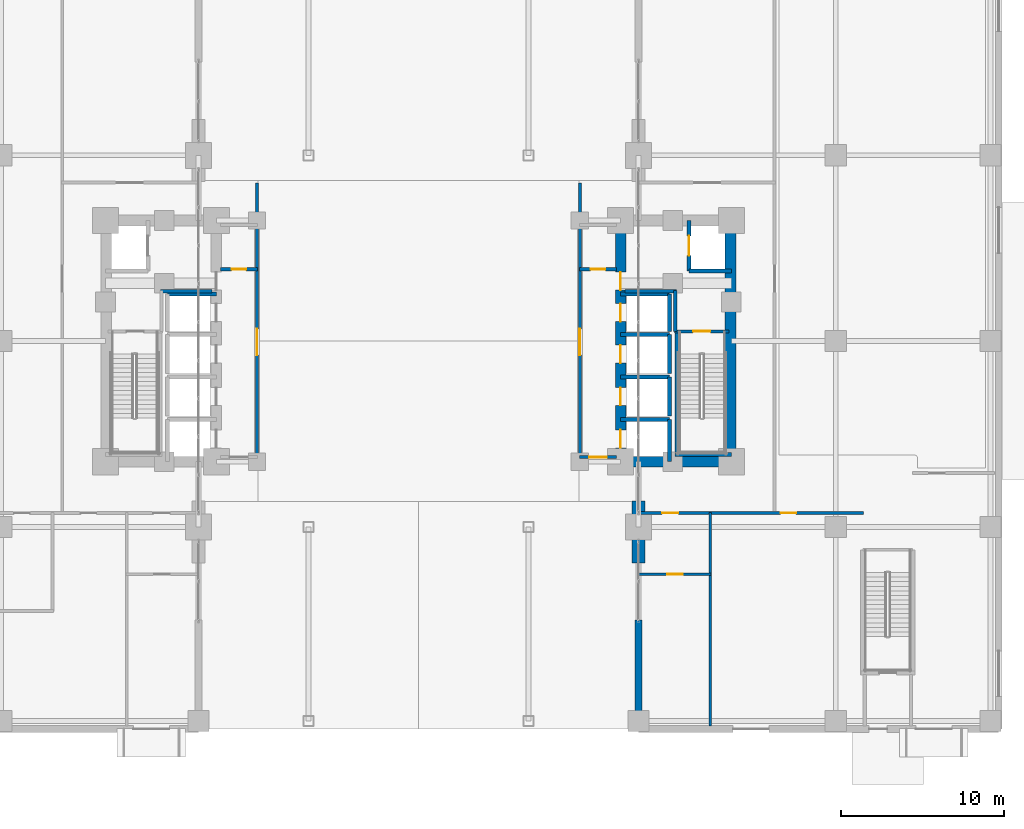
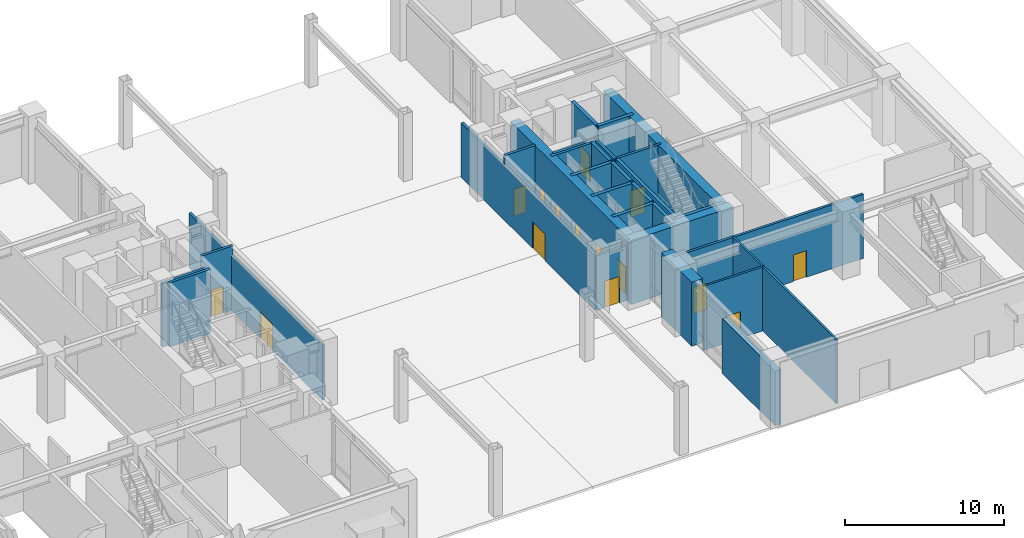
# One storey, part 18 of 23: 30 walls, 15 doors, 15 openings.
"""IFC4 building model written with IfcOpenShell, lengths in metres."""

from ifc_helpers import new_model, si_unit, direction, frame, frame_2d, origin, place, context, subcontext, project, spatial, rectangle, extrude, material, layer, layer_set, type_object, element, fill, save


model = new_model("IFC4")

# Units and contexts
model_context = context("Model", 3, precision=1e-05, world=origin(), true_north=direction((0.0, 1.0)))
body_context = subcontext(model_context, "Body", "Model", "MODEL_VIEW")
ifc_project = project(units=[si_unit("LENGTHUNIT", "METRE"), si_unit("AREAUNIT", "SQUARE_METRE"), si_unit("VOLUMEUNIT", "CUBIC_METRE"), si_unit("PLANEANGLEUNIT", "RADIAN"), si_unit("MASSUNIT", "GRAM", prefix="KILO")], contexts=[model_context])

# Site, building, storey
site_placement = place(None, origin())
site = spatial("IfcSite", under=ifc_project, at=site_placement, CompositionType="ELEMENT")
building_placement = place(site_placement, origin())
building = spatial("IfcBuilding", under=site, at=building_placement, Name="Voryun Gate Residences", CompositionType="ELEMENT")
storey_placement = place(building_placement, origin())
storey = spatial("IfcBuildingStorey", under=building, at=storey_placement, Name="L00", CompositionType="ELEMENT", Elevation=0.0)

# Wall
ifc_material_1 = material(Name="Concrete C60/75", Category="concrete")
ifc_layer_1 = layer(ifc_material_1, 0.64990234375, Name="CW_CORE_650")
ifc_layer_set_1 = layer_set([ifc_layer_1], Name="Concrete C60/75")
wall_type_1 = type_object("IfcWallType", Name="CW_CORE_650", PredefinedType="SHEAR", material=ifc_layer_set_1)
wall_1_placement = place(storey_placement, frame((12.074951171875, -7.39990234375, 0.0), z_axis=(0.0, 0.0, 1.0), x_axis=(1.0, 0.0, 0.0)))
element("IfcWall", 1, at=wall_1_placement, inside=storey, type_object=wall_type_1, Name="L00 Core shear wall CW-L00-ES", PredefinedType="SHEAR", context=body_context, shape_type="SweptSolid", body=[
    extrude(rectangle(XDim=7.449951171875, YDim=0.64990234375, at=frame_2d((3.72509765625, 0.0))), origin(), (0.0, 0.0, 1.0), 4.919921875),
])

# Wall, openings, doors
wall_2_placement = place(storey_placement, frame((12.39990234375, -7.39990234375, 0.0), z_axis=(0.0, 0.0, 1.0), x_axis=(0.0, 1.0, 0.0)))
wall_2 = element("IfcWall", 2, at=wall_2_placement, inside=storey, type_object=wall_type_1, Name="L00 Core shear wall CW-L00-EW", PredefinedType="SHEAR", context=body_context, shape_type="SweptSolid", body=[
    extrude(rectangle(XDim=14.7998046875, YDim=0.64990234375, at=frame_2d((7.39990234375, 0.0))), origin(), (0.0, 0.0, 1.0), 4.919921875),
])
opening_1_placement = place(wall_2_placement, frame((0.85009765625, 0.0, 0.0)))
opening_1 = element("IfcOpeningElement", 3, at=opening_1_placement, cuts=wall_2, Name="Opening LD2", PredefinedType="OPENING", context=body_context, shape_type="SweptSolid", body=[
    extrude(rectangle(XDim=1.10009765625, YDim=2.050048828125, at=frame_2d((0.550048828125, 1.02490234375))), frame((0.0, 0.3349609375, 0.0), z_axis=(0.0, -1.0, 0.0), x_axis=(1.0, 0.0, 0.0)), (0.0, 0.0, 1.0), 0.669921875),
])
opening_2_placement = place(wall_2_placement, frame((3.449951171875, 0.0, 0.0)))
opening_2 = element("IfcOpeningElement", 4, at=opening_2_placement, cuts=wall_2, Name="Opening LD2", PredefinedType="OPENING", context=body_context, shape_type="SweptSolid", body=[
    extrude(rectangle(XDim=1.10009765625, YDim=2.050048828125, at=frame_2d((0.550048828125, 1.02490234375))), frame((0.0, 0.3349609375, 0.0), z_axis=(0.0, -1.0, 0.0), x_axis=(1.0, 0.0, 0.0)), (0.0, 0.0, 1.0), 0.669921875),
])
opening_3_placement = place(wall_2_placement, frame((6.050048828125, 0.0, 0.0)))
opening_3 = element("IfcOpeningElement", 5, at=opening_3_placement, cuts=wall_2, Name="Opening LD2", PredefinedType="OPENING", context=body_context, shape_type="SweptSolid", body=[
    extrude(rectangle(XDim=1.10009765625, YDim=2.050048828125, at=frame_2d((0.550048828125, 1.02490234375))), frame((0.0, 0.3349609375, 0.0), z_axis=(0.0, -1.0, 0.0), x_axis=(1.0, 0.0, 0.0)), (0.0, 0.0, 1.0), 0.669921875),
])
opening_4_placement = place(wall_2_placement, frame((8.60009765625, 0.0, 0.0)))
opening_4 = element("IfcOpeningElement", 6, at=opening_4_placement, cuts=wall_2, Name="Opening LD2", PredefinedType="OPENING", context=body_context, shape_type="SweptSolid", body=[
    extrude(rectangle(XDim=1.10009765625, YDim=2.050048828125, at=frame_2d((0.550048828125, 1.02490234375))), frame((0.0, 0.3349609375, 0.0), z_axis=(0.0, -1.0, 0.0), x_axis=(1.0, 0.0, 0.0)), (0.0, 0.0, 1.0), 0.669921875),
])
opening_5_placement = place(wall_2_placement, frame((10.530029296875, 0.0, 0.0)))
opening_5 = element("IfcOpeningElement", 7, at=opening_5_placement, cuts=wall_2, Name="Opening D-FD60-2", PredefinedType="OPENING", context=body_context, shape_type="SweptSolid", body=[
    extrude(rectangle(XDim=1.10009765625, YDim=2.050048828125, at=frame_2d((0.550048828125, 1.02490234375))), frame((0.0, 0.3349609375, 0.0), z_axis=(0.0, -1.0, 0.0), x_axis=(1.0, 0.0, 0.0)), (0.0, 0.0, 1.0), 0.669921875),
])
ifc_material_2 = material(Name="Painted steel fire door", Category="steel")
door_type_1 = type_object("IfcDoorType", Name="DR_FD60_FFLOB_1100", OperationType="NOTDEFINED", PredefinedType="DOOR", material=ifc_material_2)
door_1_placement = place(opening_5_placement, origin())
door_1 = element("IfcDoor", 8, at=door_1_placement, inside=storey, type_object=door_type_1, Name="Door DR-L00-CLOB-E", OperationType="SINGLE_SWING_RIGHT", OverallHeight=2.050048828125, OverallWidth=1.10009765625, PredefinedType="DOOR", context=body_context, shape_type="SweptSolid", body=[
    extrude(rectangle(XDim=1.10009765625, YDim=2.050048828125, at=frame_2d((0.550048828125, 1.02490234375))), frame((0.0, 0.02490234375, 0.0), z_axis=(0.0, -1.0, 0.0), x_axis=(1.0, 0.0, 0.0)), (0.0, 0.0, 1.0), 0.050048828125),
])
fill(opening_5, door_1)
ifc_material_3 = material(Name="Anodised aluminium", Category="aluminium")
door_type_2 = type_object("IfcDoorType", Name="DR_LD_PASS_1100", OperationType="NOTDEFINED", PredefinedType="DOOR", material=ifc_material_3)
door_2_placement = place(opening_1_placement, origin())
door_2 = element("IfcDoor", 9, at=door_2_placement, inside=storey, type_object=door_type_2, Name="Lift EL-P3 sliding landing door L00", OperationType="SLIDING_TO_LEFT", OverallHeight=2.050048828125, OverallWidth=1.10009765625, PredefinedType="DOOR", context=body_context, shape_type="SweptSolid", body=[
    extrude(rectangle(XDim=1.10009765625, YDim=2.050048828125, at=frame_2d((0.550048828125, 1.02490234375))), frame((0.0, 0.02490234375, 0.0), z_axis=(0.0, -1.0, 0.0), x_axis=(1.0, 0.0, 0.0)), (0.0, 0.0, 1.0), 0.050048828125),
])
fill(opening_1, door_2)
door_3_placement = place(opening_2_placement, origin())
door_3 = element("IfcDoor", 10, at=door_3_placement, inside=storey, type_object=door_type_2, Name="Lift EL-P5 sliding landing door L00", OperationType="SLIDING_TO_LEFT", OverallHeight=2.050048828125, OverallWidth=1.10009765625, PredefinedType="DOOR", context=body_context, shape_type="SweptSolid", body=[
    extrude(rectangle(XDim=1.10009765625, YDim=2.050048828125, at=frame_2d((0.550048828125, 1.02490234375))), frame((0.0, 0.02490234375, 0.0), z_axis=(0.0, -1.0, 0.0), x_axis=(1.0, 0.0, 0.0)), (0.0, 0.0, 1.0), 0.050048828125),
])
fill(opening_2, door_3)
door_4_placement = place(opening_3_placement, origin())
door_4 = element("IfcDoor", 11, at=door_4_placement, inside=storey, type_object=door_type_2, Name="Lift EL-P6 sliding landing door L00", OperationType="SLIDING_TO_LEFT", OverallHeight=2.050048828125, OverallWidth=1.10009765625, PredefinedType="DOOR", context=body_context, shape_type="SweptSolid", body=[
    extrude(rectangle(XDim=1.10009765625, YDim=2.050048828125, at=frame_2d((0.550048828125, 1.02490234375))), frame((0.0, 0.02490234375, 0.0), z_axis=(0.0, -1.0, 0.0), x_axis=(1.0, 0.0, 0.0)), (0.0, 0.0, 1.0), 0.050048828125),
])
fill(opening_3, door_4)
door_5_placement = place(opening_4_placement, origin())
door_5 = element("IfcDoor", 12, at=door_5_placement, inside=storey, type_object=door_type_2, Name="Lift EL-P8 sliding landing door L00", OperationType="SLIDING_TO_LEFT", OverallHeight=2.050048828125, OverallWidth=1.10009765625, PredefinedType="DOOR", context=body_context, shape_type="SweptSolid", body=[
    extrude(rectangle(XDim=1.10009765625, YDim=2.050048828125, at=frame_2d((0.550048828125, 1.02490234375))), frame((0.0, 0.02490234375, 0.0), z_axis=(0.0, -1.0, 0.0), x_axis=(1.0, 0.0, 0.0)), (0.0, 0.0, 1.0), 0.050048828125),
])
fill(opening_4, door_5)

# Walls
wall_3_placement = place(storey_placement, frame((19.14501953125, -7.39990234375, 0.0), z_axis=(0.0, 0.0, 1.0), x_axis=(0.0, 1.0, 0.0)))
element("IfcWall", 13, at=wall_3_placement, inside=storey, type_object=wall_type_1, Name="L00 Core shear wall CW-L00-EE", PredefinedType="SHEAR", context=body_context, shape_type="SweptSolid", body=[
    extrude(rectangle(XDim=14.7998046875, YDim=0.64990234375, at=frame_2d((7.39990234375, 0.0))), origin(), (0.0, 0.0, 1.0), 4.919921875),
])
ifc_material_4 = material(Name="Concrete C60/75", Category="concrete")
ifc_layer_2 = layer(ifc_material_4, 0.800048828125, Name="W_ARCH_PIER_800")
ifc_layer_set_2 = layer_set([ifc_layer_2], Name="Concrete C60/75")
wall_type_2 = type_object("IfcWallType", Name="W_ARCH_PIER_800", PredefinedType="SOLIDWALL", material=ifc_layer_set_2)
wall_4_placement = place(storey_placement, frame((13.5, -13.60009765625, 0.0), z_axis=(0.0, 0.0, 1.0), x_axis=(0.0, 1.0, 0.0)))
element("IfcWall", 14, at=wall_4_placement, inside=storey, type_object=wall_type_2, Name="L00 Parabolic arch pier wall ES", PredefinedType="SOLIDWALL", context=body_context, shape_type="SweptSolid", body=[
    extrude(rectangle(XDim=3.800048828125, YDim=0.800048828125, at=frame_2d((1.89990234375, 0.0))), origin(), (0.0, 0.0, 1.0), 4.919921875),
])

# Wall, opening, door
ifc_material_5 = material(Name="Gypsum acoustic fireboard")
ifc_layer_3 = layer(ifc_material_5, 0.179931640625, Name="W_CORR_RATED_180")
ifc_layer_set_3 = layer_set([ifc_layer_3], Name="Gypsum acoustic fireboard")
wall_type_3 = type_object("IfcWallType", Name="W_CORR_RATED_180", PredefinedType="PARTITIONING", material=ifc_layer_set_3)
wall_5_placement = place(storey_placement, frame((15.699951171875, 0.60009765625, 0.0), z_axis=(0.0, 0.0, 1.0), x_axis=(1.0, 0.0, 0.0)))
wall_5 = element("IfcWall", 15, at=wall_5_placement, inside=storey, type_object=wall_type_3, Name="Partition wall WP-L00-STV-E", PredefinedType="PARTITIONING", context=body_context, shape_type="SweptSolid", body=[
    extrude(rectangle(XDim=3.360107421875, YDim=0.179931640625, at=frame_2d((1.68017578125, 0.0))), origin(), (0.0, 0.0, 1.0), 4.919921875),
])
opening_6_placement = place(wall_5_placement, frame((1.155029296875, 0.0, 0.0)))
opening_6 = element("IfcOpeningElement", 16, at=opening_6_placement, cuts=wall_5, Name="Opening D-FD60-1", PredefinedType="OPENING", context=body_context, shape_type="SweptSolid", body=[
    extrude(rectangle(XDim=1.050048828125, YDim=2.050048828125, at=frame_2d((0.52490234375, 1.02490234375))), frame((0.0, 0.099853515625, 0.0), z_axis=(0.0, -1.0, 0.0), x_axis=(1.0, 0.0, 0.0)), (0.0, 0.0, 1.0), 0.199951171875),
])
ifc_material_6 = material(Name="Painted steel fire door", Category="steel")
door_type_3 = type_object("IfcDoorType", Name="DR_FD60_STAIR_1050", OperationType="NOTDEFINED", PredefinedType="DOOR", material=ifc_material_6)
door_6_placement = place(opening_6_placement, origin())
door_6 = element("IfcDoor", 17, at=door_6_placement, inside=storey, type_object=door_type_3, Name="Door DR-L00-ST-E", OperationType="SINGLE_SWING_RIGHT", OverallHeight=2.050048828125, OverallWidth=1.050048828125, PredefinedType="DOOR", context=body_context, shape_type="SweptSolid", body=[
    extrude(rectangle(XDim=1.050048828125, YDim=2.050048828125, at=frame_2d((0.52490234375, 1.02490234375))), frame((0.0, 0.02490234375, 0.0), z_axis=(0.0, -1.0, 0.0), x_axis=(1.0, 0.0, 0.0)), (0.0, 0.0, 1.0), 0.050048828125),
])
fill(opening_6, door_6)

wall_6_placement = place(storey_placement, frame((9.8798828125, -7.1201171875, 0.0), z_axis=(0.0, 0.0, 1.0), x_axis=(1.0, 0.0, 0.0)))
wall_6 = element("IfcWall", 18, at=wall_6_placement, inside=storey, type_object=wall_type_3, Name="Partition wall WP-L00-PLBS-E", PredefinedType="PARTITIONING", context=body_context, shape_type="SweptSolid", body=[
    extrude(rectangle(XDim=2.27001953125, YDim=0.179931640625, at=frame_2d((1.135009765625, 0.0))), origin(), (0.0, 0.0, 1.0), 4.2099609375),
])
opening_7_placement = place(wall_6_placement, frame((0.5849609375, 0.0, 0.0)))
opening_7 = element("IfcOpeningElement", 19, at=opening_7_placement, cuts=wall_6, Name="Opening D-FD60-2", PredefinedType="OPENING", context=body_context, shape_type="SweptSolid", body=[
    extrude(rectangle(XDim=1.10009765625, YDim=2.050048828125, at=frame_2d((0.550048828125, 1.02490234375))), frame((0.0, 0.099853515625, 0.0), z_axis=(0.0, -1.0, 0.0), x_axis=(1.0, 0.0, 0.0)), (0.0, 0.0, 1.0), 0.199951171875),
])
door_7_placement = place(opening_7_placement, origin())
door_7 = element("IfcDoor", 20, at=door_7_placement, inside=storey, type_object=door_type_1, Name="Door DR-L00-PLBNE", OperationType="SINGLE_SWING_RIGHT", OverallHeight=2.050048828125, OverallWidth=1.10009765625, PredefinedType="DOOR", context=body_context, shape_type="SweptSolid", body=[
    extrude(rectangle(XDim=1.10009765625, YDim=2.050048828125, at=frame_2d((0.550048828125, 1.02490234375))), frame((0.0, 0.02490234375, 0.0), z_axis=(0.0, -1.0, 0.0), x_axis=(1.0, 0.0, 0.0)), (0.0, 0.0, 1.0), 0.050048828125),
])
fill(opening_7, door_7)

wall_7_placement = place(storey_placement, frame((-9.89990234375, -7.1201171875, 0.0), z_axis=(0.0, 0.0, 1.0), x_axis=(0.0, 1.0, 0.0)))
wall_7 = element("IfcWall", 21, at=wall_7_placement, inside=storey, type_object=wall_type_3, Name="Partition wall WP-L00-PLBW", PredefinedType="PARTITIONING", context=body_context, shape_type="SweptSolid", body=[
    extrude(rectangle(XDim=16.820068359375, YDim=0.179931640625, at=frame_2d((8.41015625, 0.0))), origin(), (0.0, 0.0, 1.0), 4.2099609375),
])
opening_8_placement = place(wall_7_placement, frame((6.264404296875, 0.0, 0.0)))
opening_8 = element("IfcOpeningElement", 22, at=opening_8_placement, cuts=wall_7, Name="Opening D-FD30-1", PredefinedType="OPENING", context=body_context, shape_type="SweptSolid", body=[
    extrude(rectangle(XDim=1.60009765625, YDim=2.050048828125, at=frame_2d((0.800048828125, 1.02490234375))), frame((0.0, 0.099853515625, 0.0), z_axis=(0.0, -1.0, 0.0), x_axis=(1.0, 0.0, 0.0)), (0.0, 0.0, 1.0), 0.199951171875),
])
ifc_material_7 = material(Name="Glazed aluminium fire door", Category="aluminium")
door_type_4 = type_object("IfcDoorType", Name="DR_CORR_SMOKE_1600", OperationType="NOTDEFINED", PredefinedType="DOOR", material=ifc_material_7)
door_8_placement = place(opening_8_placement, origin())
door_8 = element("IfcDoor", 23, at=door_8_placement, inside=storey, type_object=door_type_4, Name="Door DR-L00-PLBW", OperationType="DOUBLE_DOOR_SINGLE_SWING", OverallHeight=2.050048828125, OverallWidth=1.60009765625, PredefinedType="DOOR", context=body_context, shape_type="SweptSolid", body=[
    extrude(rectangle(XDim=1.60009765625, YDim=2.050048828125, at=frame_2d((0.800048828125, 1.02490234375))), frame((0.0, 0.02490234375, 0.0), z_axis=(0.0, -1.0, 0.0), x_axis=(1.0, 0.0, 0.0)), (0.0, 0.0, 1.0), 0.050048828125),
])
fill(opening_8, door_8)

wall_8_placement = place(storey_placement, frame((9.89990234375, -7.1201171875, 0.0), z_axis=(0.0, 0.0, 1.0), x_axis=(0.0, 1.0, 0.0)))
wall_8 = element("IfcWall", 24, at=wall_8_placement, inside=storey, type_object=wall_type_3, Name="Partition wall WP-L00-PLBE", PredefinedType="PARTITIONING", context=body_context, shape_type="SweptSolid", body=[
    extrude(rectangle(XDim=16.820068359375, YDim=0.179931640625, at=frame_2d((8.41015625, 0.0))), origin(), (0.0, 0.0, 1.0), 4.2099609375),
])
opening_9_placement = place(wall_8_placement, frame((6.264404296875, 0.0, 0.0)))
opening_9 = element("IfcOpeningElement", 25, at=opening_9_placement, cuts=wall_8, Name="Opening D-FD30-1", PredefinedType="OPENING", context=body_context, shape_type="SweptSolid", body=[
    extrude(rectangle(XDim=1.60009765625, YDim=2.050048828125, at=frame_2d((0.800048828125, 1.02490234375))), frame((0.0, 0.099853515625, 0.0), z_axis=(0.0, -1.0, 0.0), x_axis=(1.0, 0.0, 0.0)), (0.0, 0.0, 1.0), 0.199951171875),
])
door_9_placement = place(opening_9_placement, origin())
door_9 = element("IfcDoor", 26, at=door_9_placement, inside=storey, type_object=door_type_4, Name="Door DR-L00-PLBE", OperationType="DOUBLE_DOOR_SINGLE_SWING", OverallHeight=2.050048828125, OverallWidth=1.60009765625, PredefinedType="DOOR", context=body_context, shape_type="SweptSolid", body=[
    extrude(rectangle(XDim=1.60009765625, YDim=2.050048828125, at=frame_2d((0.800048828125, 1.02490234375))), frame((0.0, 0.02490234375, 0.0), z_axis=(0.0, -1.0, 0.0), x_axis=(1.0, 0.0, 0.0)), (0.0, 0.0, 1.0), 0.050048828125),
])
fill(opening_9, door_9)

# Wall, openings, doors
wall_9_placement = place(storey_placement, frame((13.52001953125, -10.550048828125, 0.0), z_axis=(0.0, 0.0, 1.0), x_axis=(1.0, 0.0, 0.0)))
wall_9 = element("IfcWall", 27, at=wall_9_placement, inside=storey, type_object=wall_type_3, Name="Partition wall WP-L00-ECS2", PredefinedType="PARTITIONING", context=body_context, shape_type="SweptSolid", body=[
    extrude(rectangle(XDim=13.780029296875, YDim=0.179931640625, at=frame_2d((6.89013671875, 0.0))), origin(), (0.0, 0.0, 1.0), 4.919921875),
])
opening_10_placement = place(wall_9_placement, frame((1.42919921875, 0.0, 0.0)))
opening_10 = element("IfcOpeningElement", 28, at=opening_10_placement, cuts=wall_9, Name="Opening D-AWC-1", PredefinedType="OPENING", context=body_context, shape_type="SweptSolid", body=[
    extrude(rectangle(XDim=1.0, YDim=2.050048828125, at=frame_2d((0.5, 1.02490234375))), frame((0.0, 0.099853515625, 0.0), z_axis=(0.0, -1.0, 0.0), x_axis=(1.0, 0.0, 0.0)), (0.0, 0.0, 1.0), 0.199951171875),
])
opening_11_placement = place(wall_9_placement, frame((8.701904296875, 0.0, 0.0)))
opening_11 = element("IfcOpeningElement", 29, at=opening_11_placement, cuts=wall_9, Name="Opening D-INT-1", PredefinedType="OPENING", context=body_context, shape_type="SweptSolid", body=[
    extrude(rectangle(XDim=0.949951171875, YDim=2.050048828125, at=frame_2d((0.47509765625, 1.02490234375))), frame((0.0, 0.099853515625, 0.0), z_axis=(0.0, -1.0, 0.0), x_axis=(1.0, 0.0, 0.0)), (0.0, 0.0, 1.0), 0.199951171875),
])
ifc_material_8 = material(Name="Architectural oak veneer")
door_type_5 = type_object("IfcDoorType", Name="DR_ACC_WC_1000", OperationType="NOTDEFINED", PredefinedType="DOOR", material=ifc_material_8)
door_10_placement = place(opening_10_placement, origin())
door_10 = element("IfcDoor", 30, at=door_10_placement, inside=storey, type_object=door_type_5, Name="Door DR-L00-EDWC", OperationType="SINGLE_SWING_LEFT", OverallHeight=2.050048828125, OverallWidth=1.0, PredefinedType="DOOR", context=body_context, shape_type="SweptSolid", body=[
    extrude(rectangle(XDim=1.0, YDim=2.050048828125, at=frame_2d((0.5, 1.02490234375))), frame((0.0, 0.02490234375, 0.0), z_axis=(0.0, -1.0, 0.0), x_axis=(1.0, 0.0, 0.0)), (0.0, 0.0, 1.0), 0.050048828125),
])
fill(opening_10, door_10)
ifc_material_9 = material(Name="Architectural oak veneer")
door_type_6 = type_object("IfcDoorType", Name="DR_INT_ROOM_950", OperationType="NOTDEFINED", PredefinedType="DOOR", material=ifc_material_9)
door_11_placement = place(opening_11_placement, origin())
door_11 = element("IfcDoor", 31, at=door_11_placement, inside=storey, type_object=door_type_6, Name="Door DR-L00-ED3", OperationType="SINGLE_SWING_RIGHT", OverallHeight=2.050048828125, OverallWidth=0.949951171875, PredefinedType="DOOR", context=body_context, shape_type="SweptSolid", body=[
    extrude(rectangle(XDim=0.949951171875, YDim=2.050048828125, at=frame_2d((0.47509765625, 1.02490234375))), frame((0.0, 0.02490234375, 0.0), z_axis=(0.0, -1.0, 0.0), x_axis=(1.0, 0.0, 0.0)), (0.0, 0.0, 1.0), 0.050048828125),
])
fill(opening_11, door_11)

# Walls
ifc_material_10 = material(Name="Granite masonry", Category="masonry")
ifc_layer_4 = layer(ifc_material_10, 0.419921875, Name="W_EXT_PODIUM_420")
ifc_layer_set_4 = layer_set([ifc_layer_4], Name="Granite masonry")
wall_type_4 = type_object("IfcWallType", Name="W_EXT_PODIUM_420", PredefinedType="ELEMENTEDWALL", material=ifc_layer_set_4)
wall_10_placement = place(storey_placement, frame((13.5, -23.800048828125, 0.0), z_axis=(0.0, 0.0, 1.0), x_axis=(0.0, 1.0, 0.0)))
element("IfcWall", 32, at=wall_10_placement, inside=storey, type_object=wall_type_4, Name="Exterior wall WEP-L00-EP-4A", PredefinedType="ELEMENTEDWALL", context=body_context, shape_type="SweptSolid", body=[
    extrude(rectangle(XDim=6.679931640625, YDim=0.419921875, at=frame_2d((3.33984375, 0.0))), origin(), (0.0, 0.0, 1.0), 4.2099609375),
])
ifc_material_11 = material(Name="Concrete C40/50", Category="concrete")
ifc_layer_5 = layer(ifc_material_11, 0.199951171875, Name="W_FF_LOBBY_200")
ifc_layer_set_5 = layer_set([ifc_layer_5], Name="Concrete C40/50")
wall_type_5 = type_object("IfcWallType", Name="W_FF_LOBBY_200", PredefinedType="PARTITIONING", material=ifc_layer_set_5)
wall_11_placement = place(storey_placement, frame((-15.820068359375, 3.06005859375, 0.0), z_axis=(0.0, 0.0, 1.0), x_axis=(1.0, 0.0, 0.0)))
element("IfcWall", 33, at=wall_11_placement, inside=storey, type_object=wall_type_5, Name="Partition wall WP-L00-FFPS-W", PredefinedType="PARTITIONING", context=body_context, shape_type="SweptSolid", body=[
    extrude(rectangle(XDim=3.16015625, YDim=0.199951171875, at=frame_2d((1.580078125, 0.0))), origin(), (0.0, 0.0, 1.0), 4.919921875),
])

# Wall, opening, door
wall_12_placement = place(storey_placement, frame((-12.14990234375, 4.409912109375, 0.0), z_axis=(0.0, 0.0, 1.0), x_axis=(1.0, 0.0, 0.0)))
wall_12 = element("IfcWall", 34, at=wall_12_placement, inside=storey, type_object=wall_type_5, Name="Partition wall WP-L00-CSFLKS-W", PredefinedType="PARTITIONING", context=body_context, shape_type="SweptSolid", body=[
    extrude(rectangle(XDim=2.27001953125, YDim=0.199951171875, at=frame_2d((1.135009765625, 0.0))), origin(), (0.0, 0.0, 1.0), 4.919921875),
])
opening_12_placement = place(wall_12_placement, frame((0.68505859375, 0.0, 0.0)))
opening_12 = element("IfcOpeningElement", 35, at=opening_12_placement, cuts=wall_12, Name="Opening D-FD60-4", PredefinedType="OPENING", context=body_context, shape_type="SweptSolid", body=[
    extrude(rectangle(XDim=0.89990234375, YDim=2.050048828125, at=frame_2d((0.449951171875, 1.02490234375))), frame((0.0, 0.110107421875, 0.0), z_axis=(0.0, -1.0, 0.0), x_axis=(1.0, 0.0, 0.0)), (0.0, 0.0, 1.0), 0.219970703125),
])
ifc_material_12 = material(Name="Painted steel fire door", Category="steel")
door_type_7 = type_object("IfcDoorType", Name="DR_FD60_RISER_900", OperationType="NOTDEFINED", PredefinedType="DOOR", material=ifc_material_12)
door_12_placement = place(opening_12_placement, origin())
door_12 = element("IfcDoor", 36, at=door_12_placement, inside=storey, type_object=door_type_7, Name="Door DR-L00-CSFLK-W", OperationType="SINGLE_SWING_LEFT", OverallHeight=2.050048828125, OverallWidth=0.89990234375, PredefinedType="DOOR", context=body_context, shape_type="SweptSolid", body=[
    extrude(rectangle(XDim=0.89990234375, YDim=2.050048828125, at=frame_2d((0.449951171875, 1.02490234375))), frame((0.0, 0.02490234375, 0.0), z_axis=(0.0, -1.0, 0.0), x_axis=(1.0, 0.0, 0.0)), (0.0, 0.0, 1.0), 0.050048828125),
])
fill(opening_12, door_12)

# Walls
wall_13_placement = place(storey_placement, frame((15.760009765625, 0.580078125, 0.0), z_axis=(0.0, 0.0, 1.0), x_axis=(0.0, 1.0, 0.0)))
element("IfcWall", 37, at=wall_13_placement, inside=storey, type_object=wall_type_5, Name="Partition wall WP-L00-FFP0-E", PredefinedType="PARTITIONING", context=body_context, shape_type="SweptSolid", body=[
    extrude(rectangle(XDim=2.52001953125, YDim=0.199951171875, at=frame_2d((1.260009765625, 0.0))), origin(), (0.0, 0.0, 1.0), 4.919921875),
])
wall_14_placement = place(storey_placement, frame((12.659912109375, 3.06005859375, 0.0), z_axis=(0.0, 0.0, 1.0), x_axis=(1.0, 0.0, 0.0)))
element("IfcWall", 38, at=wall_14_placement, inside=storey, type_object=wall_type_5, Name="Partition wall WP-L00-FFPS-E", PredefinedType="PARTITIONING", context=body_context, shape_type="SweptSolid", body=[
    extrude(rectangle(XDim=3.16015625, YDim=0.199951171875, at=frame_2d((1.580078125, 0.0))), origin(), (0.0, 0.0, 1.0), 4.919921875),
])

# Wall, opening, door
wall_15_placement = place(storey_placement, frame((9.8798828125, 4.409912109375, 0.0), z_axis=(0.0, 0.0, 1.0), x_axis=(1.0, 0.0, 0.0)))
wall_15 = element("IfcWall", 39, at=wall_15_placement, inside=storey, type_object=wall_type_5, Name="Partition wall WP-L00-CSFLKS-E", PredefinedType="PARTITIONING", context=body_context, shape_type="SweptSolid", body=[
    extrude(rectangle(XDim=2.27001953125, YDim=0.199951171875, at=frame_2d((1.135009765625, 0.0))), origin(), (0.0, 0.0, 1.0), 4.919921875),
])
opening_13_placement = place(wall_15_placement, frame((0.68505859375, 0.0, 0.0)))
opening_13 = element("IfcOpeningElement", 40, at=opening_13_placement, cuts=wall_15, Name="Opening D-FD60-4", PredefinedType="OPENING", context=body_context, shape_type="SweptSolid", body=[
    extrude(rectangle(XDim=0.89990234375, YDim=2.050048828125, at=frame_2d((0.449951171875, 1.02490234375))), frame((0.0, 0.110107421875, 0.0), z_axis=(0.0, -1.0, 0.0), x_axis=(1.0, 0.0, 0.0)), (0.0, 0.0, 1.0), 0.219970703125),
])
door_13_placement = place(opening_13_placement, origin())
door_13 = element("IfcDoor", 41, at=door_13_placement, inside=storey, type_object=door_type_7, Name="Door DR-L00-CSFLK-E", OperationType="SINGLE_SWING_RIGHT", OverallHeight=2.050048828125, OverallWidth=0.89990234375, PredefinedType="DOOR", context=body_context, shape_type="SweptSolid", body=[
    extrude(rectangle(XDim=0.89990234375, YDim=2.050048828125, at=frame_2d((0.449951171875, 1.02490234375))), frame((0.0, 0.02490234375, 0.0), z_axis=(0.0, -1.0, 0.0), x_axis=(1.0, 0.0, 0.0)), (0.0, 0.0, 1.0), 0.050048828125),
])
fill(opening_13, door_13)

# Walls
ifc_material_13 = material(Name="Concrete C50/60", Category="concrete")
ifc_layer_6 = layer(ifc_material_13, 0.25, Name="W_SHAFT_RC250")
ifc_layer_set_6 = layer_set([ifc_layer_6], Name="Concrete C50/60")
wall_type_6 = type_object("IfcWallType", Name="W_SHAFT_RC250", PredefinedType="SOLIDWALL", material=ifc_layer_set_6)
wall_16_placement = place(storey_placement, frame((15.860107421875, -7.0849609375, 0.0), z_axis=(0.0, 0.0, 1.0), x_axis=(0.0, 1.0, 0.0)))
element("IfcWall", 42, at=wall_16_placement, inside=storey, type_object=wall_type_6, Name="L00 Stair shaft structural wall E-STL", PredefinedType="SOLIDWALL", context=body_context, shape_type="SweptSolid", body=[
    extrude(rectangle(XDim=7.68505859375, YDim=0.25, at=frame_2d((3.842529296875, 0.0))), origin(), (0.0, 0.0, 1.0), 4.919921875),
])
wall_17_placement = place(storey_placement, frame((15.739990234375, -6.965087890625, 0.0), z_axis=(0.0, 0.0, 1.0), x_axis=(1.0, 0.0, 0.0)))
element("IfcWall", 43, at=wall_17_placement, inside=storey, type_object=wall_type_6, Name="L00 Stair shaft structural wall E-STS", PredefinedType="SOLIDWALL", context=body_context, shape_type="SweptSolid", body=[
    extrude(rectangle(XDim=3.4599609375, YDim=0.25, at=frame_2d((1.72998046875, 0.0))), origin(), (0.0, 0.0, 1.0), 4.919921875),
])
wall_18_placement = place(storey_placement, frame((16.60009765625, 4.300048828125, 0.0), z_axis=(0.0, 0.0, 1.0), x_axis=(1.0, 0.0, 0.0)))
element("IfcWall", 44, at=wall_18_placement, inside=storey, type_object=wall_type_6, Name="Lift shaft wall WSH-L00-EL-FF-E1-S", PredefinedType="SOLIDWALL", context=body_context, shape_type="SweptSolid", body=[
    extrude(rectangle(XDim=2.599853515625, YDim=0.25, at=frame_2d((1.2998046875, 0.0))), origin(), (0.0, 0.0, 1.0), 4.919921875),
])

# Wall, opening, door
wall_19_placement = place(storey_placement, frame((16.60009765625, 7.39990234375, 0.0), z_axis=(0.0, 0.0, 1.0), x_axis=(0.0, -1.0, 0.0)))
wall_19 = element("IfcWall", 45, at=wall_19_placement, inside=storey, type_object=wall_type_6, Name="Lift shaft wall WSH-L00-EL-FF-E1-W", PredefinedType="SOLIDWALL", context=body_context, shape_type="SweptSolid", body=[
    extrude(rectangle(XDim=3.099853515625, YDim=0.25, at=frame_2d((1.5498046875, 0.0))), origin(), (0.0, 0.0, 1.0), 4.919921875),
])
opening_14_placement = place(wall_19_placement, frame((0.949951171875, 0.0, 0.0)))
opening_14 = element("IfcOpeningElement", 46, at=opening_14_placement, cuts=wall_19, Name="Opening LD1", PredefinedType="OPENING", context=body_context, shape_type="SweptSolid", body=[
    extrude(rectangle(XDim=1.199951171875, YDim=2.050048828125, at=frame_2d((0.60009765625, 1.02490234375))), frame((0.0, 0.135009765625, 0.0), z_axis=(0.0, -1.0, 0.0), x_axis=(1.0, 0.0, 0.0)), (0.0, 0.0, 1.0), 0.27001953125),
])
ifc_material_14 = material(Name="Anodised aluminium", Category="aluminium")
door_type_8 = type_object("IfcDoorType", Name="DR_LD_FF_1200", OperationType="NOTDEFINED", PredefinedType="DOOR", material=ifc_material_14)
door_14_placement = place(opening_14_placement, origin())
door_14 = element("IfcDoor", 47, at=door_14_placement, inside=storey, type_object=door_type_8, Name="Lift EL-FF-E1 sliding landing door L00", OperationType="SLIDING_TO_LEFT", OverallHeight=2.050048828125, OverallWidth=1.199951171875, PredefinedType="DOOR", context=body_context, shape_type="SweptSolid", body=[
    extrude(rectangle(XDim=1.199951171875, YDim=2.050048828125, at=frame_2d((0.60009765625, 1.02490234375))), frame((0.0, 0.02490234375, 0.0), z_axis=(0.0, -1.0, 0.0), x_axis=(1.0, 0.0, 0.0)), (0.0, 0.0, 1.0), 0.050048828125),
])
fill(opening_14, door_14)

# Walls
wall_20_placement = place(storey_placement, frame((15.39990234375, -7.39990234375, 0.0), z_axis=(0.0, 0.0, 1.0), x_axis=(0.0, 1.0, 0.0)))
element("IfcWall", 48, at=wall_20_placement, inside=storey, type_object=wall_type_6, Name="Lift shaft wall WSH-L00-EL-P3-E", PredefinedType="SOLIDWALL", context=body_context, shape_type="SweptSolid", body=[
    extrude(rectangle(XDim=2.599853515625, YDim=0.25, at=frame_2d((1.2998046875, 0.0))), origin(), (0.0, 0.0, 1.0), 4.919921875),
])
wall_21_placement = place(storey_placement, frame((15.39990234375, -4.800048828125, 0.0), z_axis=(0.0, 0.0, 1.0), x_axis=(-1.0, 0.0, 0.0)))
element("IfcWall", 49, at=wall_21_placement, inside=storey, type_object=wall_type_6, Name="Lift shaft wall WSH-L00-EL-P3-N", PredefinedType="SOLIDWALL", context=body_context, shape_type="SweptSolid", body=[
    extrude(rectangle(XDim=3.0, YDim=0.25, at=frame_2d((1.5, 0.0))), origin(), (0.0, 0.0, 1.0), 4.919921875),
])
wall_22_placement = place(storey_placement, frame((15.39990234375, -4.60009765625, 0.0), z_axis=(0.0, 0.0, 1.0), x_axis=(0.0, 1.0, 0.0)))
element("IfcWall", 50, at=wall_22_placement, inside=storey, type_object=wall_type_6, Name="Lift shaft wall WSH-L00-EL-P5-E", PredefinedType="SOLIDWALL", context=body_context, shape_type="SweptSolid", body=[
    extrude(rectangle(XDim=2.400146484375, YDim=0.25, at=frame_2d((1.2001953125, 0.0))), origin(), (0.0, 0.0, 1.0), 4.919921875),
])
wall_23_placement = place(storey_placement, frame((15.39990234375, -2.199951171875, 0.0), z_axis=(0.0, 0.0, 1.0), x_axis=(-1.0, 0.0, 0.0)))
element("IfcWall", 51, at=wall_23_placement, inside=storey, type_object=wall_type_6, Name="Lift shaft wall WSH-L00-EL-P5-N", PredefinedType="SOLIDWALL", context=body_context, shape_type="SweptSolid", body=[
    extrude(rectangle(XDim=3.0, YDim=0.25, at=frame_2d((1.5, 0.0))), origin(), (0.0, 0.0, 1.0), 4.919921875),
])
wall_24_placement = place(storey_placement, frame((15.39990234375, -2.0, 0.0), z_axis=(0.0, 0.0, 1.0), x_axis=(0.0, 1.0, 0.0)))
element("IfcWall", 52, at=wall_24_placement, inside=storey, type_object=wall_type_6, Name="Lift shaft wall WSH-L00-EL-P6-E", PredefinedType="SOLIDWALL", context=body_context, shape_type="SweptSolid", body=[
    extrude(rectangle(XDim=2.39990234375, YDim=0.25, at=frame_2d((1.199951171875, 0.0))), origin(), (0.0, 0.0, 1.0), 4.919921875),
])
for number, where, z_axis, x_axis, name in (
    (53, (15.39990234375, 0.39990234375, 0.0), (0.0, 0.0, 1.0), (-1.0, 0.0, 0.0), "Lift shaft wall WSH-L00-EL-P6-N"),
    (54, (-12.39990234375, 2.89990234375, 0.0), (0.0, 0.0, 1.0), (-1.0, 0.0, 0.0), "Lift shaft wall WSH-L00-EL-P7-N"),
):
    element("IfcWall", number, at=place(storey_placement, frame(where, z_axis=z_axis, x_axis=x_axis)), inside=storey, type_object=wall_type_6, Name=name, PredefinedType="SOLIDWALL", context=body_context, shape_type="SweptSolid", body=[
        extrude(rectangle(XDim=3.0, YDim=0.25, at=frame_2d((1.5, 0.0))), origin(), (0.0, 0.0, 1.0), 4.919921875),
    ])
wall_25_placement = place(storey_placement, frame((15.39990234375, 0.60009765625, 0.0), z_axis=(0.0, 0.0, 1.0), x_axis=(0.0, 1.0, 0.0)))
element("IfcWall", 55, at=wall_25_placement, inside=storey, type_object=wall_type_6, Name="Lift shaft wall WSH-L00-EL-P8-E", PredefinedType="SOLIDWALL", context=body_context, shape_type="SweptSolid", body=[
    extrude(rectangle(XDim=2.2998046875, YDim=0.25, at=frame_2d((1.14990234375, 0.0))), origin(), (0.0, 0.0, 1.0), 4.919921875),
])
wall_26_placement = place(storey_placement, frame((15.39990234375, 2.89990234375, 0.0), z_axis=(0.0, 0.0, 1.0), x_axis=(-1.0, 0.0, 0.0)))
element("IfcWall", 56, at=wall_26_placement, inside=storey, type_object=wall_type_6, Name="Lift shaft wall WSH-L00-EL-P8-N", PredefinedType="SOLIDWALL", context=body_context, shape_type="SweptSolid", body=[
    extrude(rectangle(XDim=3.0, YDim=0.25, at=frame_2d((1.5, 0.0))), origin(), (0.0, 0.0, 1.0), 4.919921875),
])
ifc_material_15 = material(Name="Gypsum moisture-resistant partition")
ifc_layer_7 = layer(ifc_material_15, 0.14990234375, Name="W_WET_PLUMB_150")
ifc_layer_set_7 = layer_set([ifc_layer_7], Name="Gypsum moisture-resistant partition")
wall_type_7 = type_object("IfcWallType", Name="W_WET_PLUMB_150", PredefinedType="PLUMBINGWALL", material=ifc_layer_set_7)
wall_27_placement = place(storey_placement, frame((17.89990234375, -23.6201171875, 0.0), z_axis=(0.0, 0.0, 1.0), x_axis=(0.0, 1.0, 0.0)))
element("IfcWall", 57, at=wall_27_placement, inside=storey, type_object=wall_type_7, Name="Partition wall WP-L00-EWCD1", PredefinedType="PLUMBINGWALL", context=body_context, shape_type="SweptSolid", body=[
    extrude(rectangle(XDim=13.1201171875, YDim=0.14990234375, at=frame_2d((6.56005859375, 0.0))), origin(), (0.0, 0.0, 1.0), 4.919921875),
])

# Wall, opening, door
wall_28_placement = place(storey_placement, frame((13.52001953125, -14.300048828125, 0.0), z_axis=(0.0, 0.0, 1.0), x_axis=(1.0, 0.0, 0.0)))
wall_28 = element("IfcWall", 58, at=wall_28_placement, inside=storey, type_object=wall_type_7, Name="Partition wall WP-L00-EWCD2", PredefinedType="PLUMBINGWALL", context=body_context, shape_type="SweptSolid", body=[
    extrude(rectangle(XDim=4.429931640625, YDim=0.14990234375, at=frame_2d((2.21484375, 0.0))), origin(), (0.0, 0.0, 1.0), 4.919921875),
])
opening_15_placement = place(wall_28_placement, frame((1.739990234375, 0.0, 0.0)))
opening_15 = element("IfcOpeningElement", 59, at=opening_15_placement, cuts=wall_28, Name="Opening D-INT-1", PredefinedType="OPENING", context=body_context, shape_type="SweptSolid", body=[
    extrude(rectangle(XDim=0.949951171875, YDim=2.050048828125, at=frame_2d((0.47509765625, 1.02490234375))), frame((0.0, 0.0849609375, 0.0), z_axis=(0.0, -1.0, 0.0), x_axis=(1.0, 0.0, 0.0)), (0.0, 0.0, 1.0), 0.169921875),
])
door_15_placement = place(opening_15_placement, origin())
door_15 = element("IfcDoor", 60, at=door_15_placement, inside=storey, type_object=door_type_6, Name="Door DR-L00-ESTR", OperationType="SINGLE_SWING_RIGHT", OverallHeight=2.050048828125, OverallWidth=0.949951171875, PredefinedType="DOOR", context=body_context, shape_type="SweptSolid", body=[
    extrude(rectangle(XDim=0.949951171875, YDim=2.050048828125, at=frame_2d((0.47509765625, 1.02490234375))), frame((0.0, 0.02490234375, 0.0), z_axis=(0.0, -1.0, 0.0), x_axis=(1.0, 0.0, 0.0)), (0.0, 0.0, 1.0), 0.050048828125),
])
fill(opening_15, door_15)

save(model, "model.ifc")
